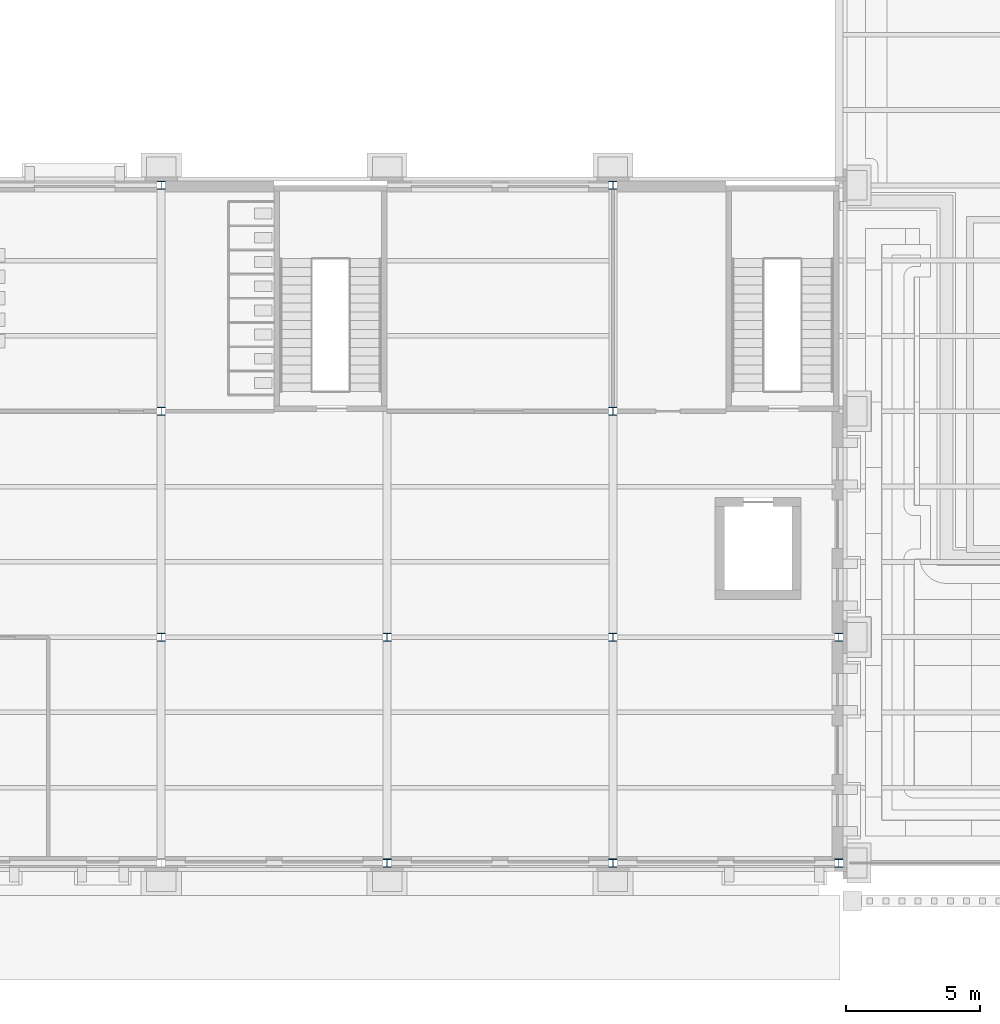
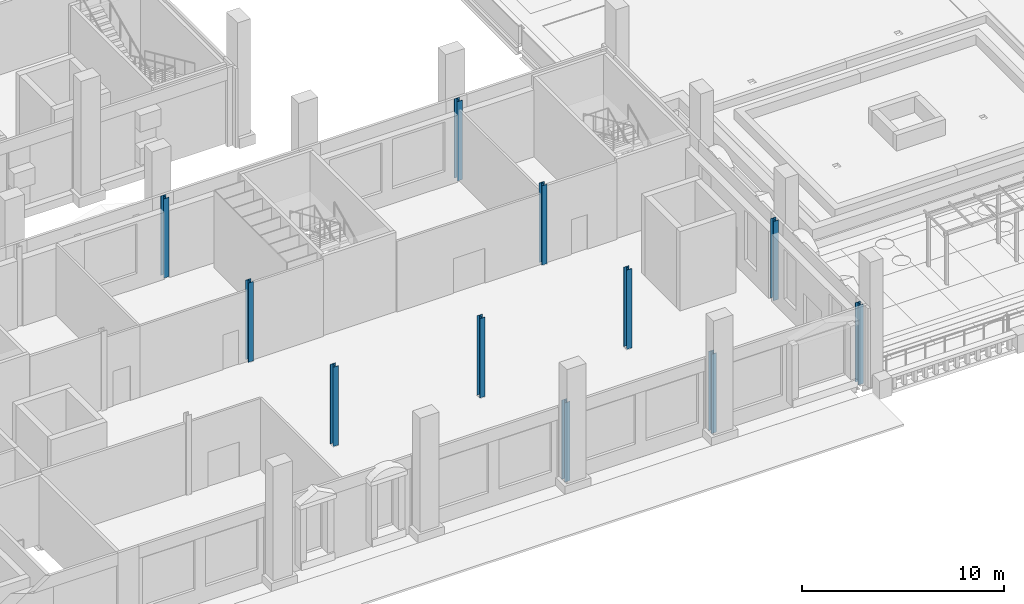
# One storey, part 5 of 76: 11 columns.
"""IFC4 building model written with IfcOpenShell, lengths in metres."""

from ifc_helpers import new_model, si_unit, direction, frame, origin, origin_2d, place, context, subcontext, project, spatial, i_section, extrude, material, material_profile, profile_set, type_object, element, save


model = new_model("IFC4")

# Units and contexts
model_context = context("Model", 3, precision=1e-05, world=origin(), true_north=direction((0.0, 1.0)))
body_context = subcontext(model_context, "Body", "Model", "MODEL_VIEW")
ifc_project = project(units=[si_unit("LENGTHUNIT", "METRE"), si_unit("AREAUNIT", "SQUARE_METRE"), si_unit("VOLUMEUNIT", "CUBIC_METRE"), si_unit("PLANEANGLEUNIT", "RADIAN"), si_unit("MASSUNIT", "GRAM", prefix="KILO")], contexts=[model_context])

# Site, building, storey
site_placement = place(None, origin())
site = spatial("IfcSite", under=ifc_project, at=site_placement, CompositionType="ELEMENT")
building_placement = place(site_placement, origin())
building = spatial("IfcBuilding", under=site, at=building_placement, Name="Sava Quay Ferry Terminal", CompositionType="ELEMENT")
storey_placement = place(building_placement, frame((0.0, 0.0, 6.0)))
storey = spatial("IfcBuildingStorey", under=building, at=storey_placement, Name="L01", CompositionType="ELEMENT", Elevation=6.0)

# Columns
ifc_material = material(Name="Steel S355", Category="steel")
ifc_material_profile = material_profile(ifc_material, i_section(OverallWidth=0.300048828125, OverallDepth=0.300048828125, WebThickness=0.010986328125, FlangeThickness=0.01904296875, at=origin_2d()), Name="HE 300 B")
ifc_profile_set = profile_set([ifc_material_profile], Name="Steel S355")
column_type = type_object("IfcColumnType", Name="Column HE 300 B", PredefinedType="COLUMN", material=ifc_profile_set)
for number, where, z_axis, x_axis, name in (
    (1, (100.800048828125, 33.60009765625, 0.0), (0.0, 0.0, 1.0), (1.0, 0.0, 0.0), "Column L01 100.8/33.6"),
    (2, (100.800048828125, 42.0, 0.0), (0.0, 0.0, 1.0), (1.0, 0.0, 0.0), "Column L01 100.8/42"),
    (3, (100.800048828125, 50.39990234375, 0.0), (0.0, 0.0, 1.0), (1.0, 0.0, 0.0), "Column L01 100.8/50.4"),
    (4, (109.199951171875, 25.199951171875, 0.0), (0.0, 0.0, 1.0), (1.0, 0.0, 0.0), "Column L01 109.2/25.2"),
    (5, (109.199951171875, 33.60009765625, 0.0), (0.0, 0.0, 1.0), (1.0, 0.0, 0.0), "Column L01 109.2/33.6"),
    (6, (117.60009765625, 25.199951171875, 0.0), (0.0, 0.0, 1.0), (1.0, 0.0, 0.0), "Column L01 117.6/25.2"),
    (7, (117.60009765625, 33.60009765625, 0.0), (0.0, 0.0, 1.0), (1.0, 0.0, 0.0), "Column L01 117.6/33.6"),
    (8, (117.60009765625, 42.0, 0.0), (0.0, 0.0, 1.0), (1.0, 0.0, 0.0), "Column L01 117.6/42"),
    (9, (117.60009765625, 50.39990234375, 0.0), (0.0, 0.0, 1.0), (1.0, 0.0, 0.0), "Column L01 117.6/50.4"),
    (10, (126.0, 25.199951171875, 0.0), (0.0, 0.0, 1.0), (1.0, 0.0, 0.0), "Column L01 126/25.2"),
    (11, (126.0, 33.60009765625, 0.0), (0.0, 0.0, 1.0), (1.0, 0.0, 0.0), "Column L01 126/33.6"),
):
    element("IfcColumn", number, at=place(storey_placement, frame(where, z_axis=z_axis, x_axis=x_axis)), inside=storey, type_object=column_type, Name=name, PredefinedType="COLUMN", context=body_context, shape_type="SweptSolid", body=[
        extrude(i_section(OverallWidth=0.300048828125, OverallDepth=0.300048828125, WebThickness=0.010986328125, FlangeThickness=0.01904296875, at=origin_2d()), origin(), (0.0, 0.0, 1.0), 4.800048828125),
    ])

save(model, "model.ifc")
